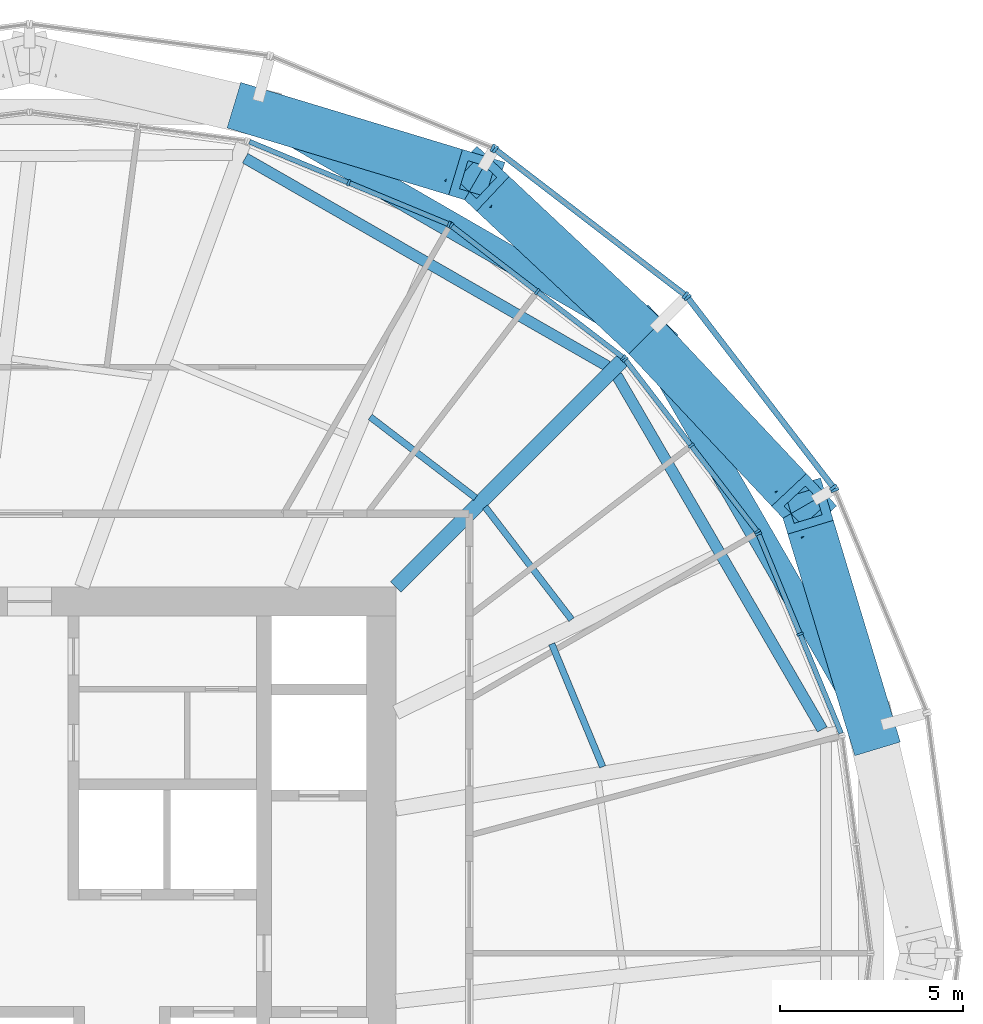
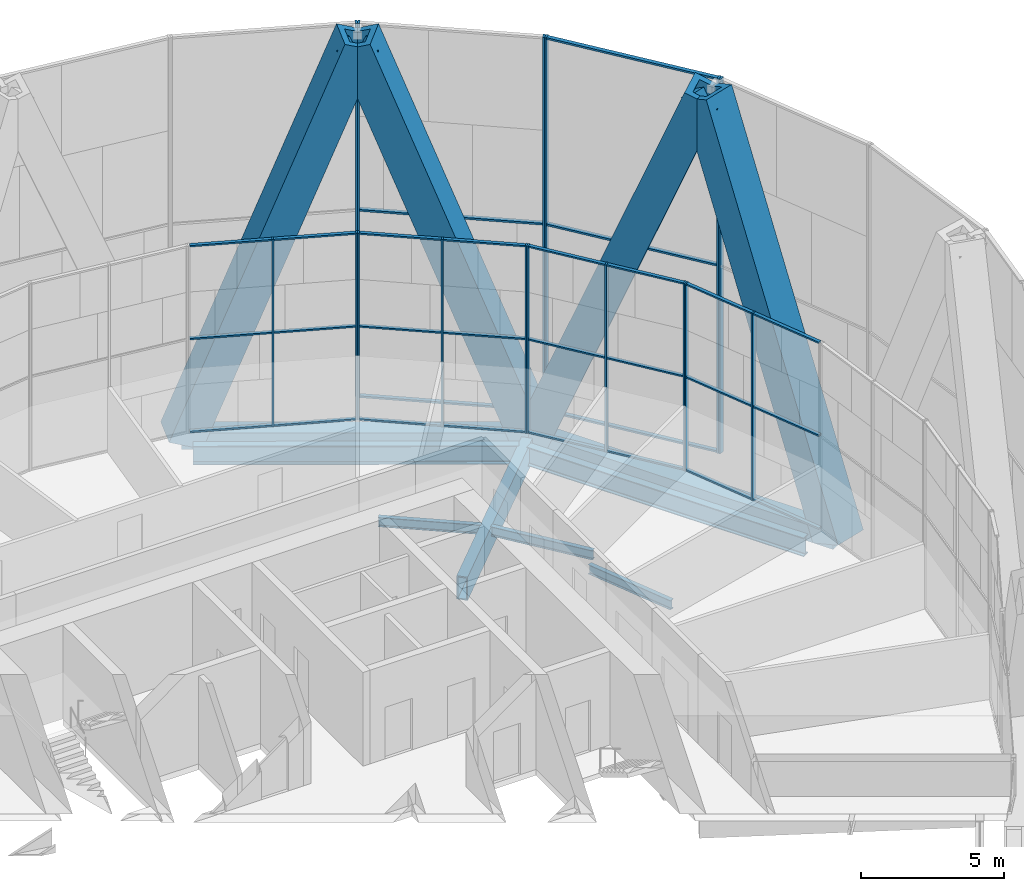
# One storey, part 8 of 22: 49 members, 8 beams, 8 elements without a shape of their own.
"""IFC4 building model written with IfcOpenShell, lengths in metres."""

import ifcopenshell
import ifcopenshell.guid

model = None  # the IFC model being written
_history = None  # IfcOwnerHistory: only IFC2X3 demands one
_inside = {}  # id of a spatial element -> (the spatial element, [elements in it])
_under = {}  # id of a project, library or spatial element -> (it, [spatial elements below it])
_declared = {}  # id of a project -> (the project, [libraries it declares])
_typed = {}  # id of a type object -> (the type object, [elements of that type])
_made_of = {}  # id of a material, layer set ... -> (it, [elements and type objects made of it])


def new_model(schema):
    """Start an empty IFC model of exactly this schema.

    Asked for "IFC4X3", IfcOpenShell would pick the latest addendum, in which some entities
    have other attributes; the version numbers below select the first issue.
    IFC2X3 requires an IfcOwnerHistory on every rooted entity: one is made here for all.
    """
    global model, _history
    if schema == "IFC4X3":
        model = ifcopenshell.file(schema_version=(4, 3, 0, 0))
    else:
        model = ifcopenshell.file(schema=schema)
    _inside.clear()
    _under.clear()
    _declared.clear()
    _typed.clear()
    _made_of.clear()
    _history = None
    if model.schema == "IFC2X3":
        org = make("IfcOrganization", Name="unknown")
        user = make(
            "IfcPersonAndOrganization",
            ThePerson=make("IfcPerson", FamilyName="unknown"),
            TheOrganization=org,
        )
        app = make(
            "IfcApplication",
            ApplicationDeveloper=org,
            Version="unknown",
            ApplicationFullName="unknown",
            ApplicationIdentifier="unknown",
        )
        _history = make(
            "IfcOwnerHistory",
            OwningUser=user,
            OwningApplication=app,
            ChangeAction="ADDED",
            CreationDate=0,
        )
    return model


def make(cls, **values):
    """One entity of the class cls with the attributes given. An attribute that is None is left unset."""
    return model.create_entity(
        cls, **{name: value for name, value in values.items() if value is not None}
    )


def rooted(cls, **values):
    """An entity with a GlobalId (a new one), such as an element, a storey or a relation."""
    return make(cls, GlobalId=ifcopenshell.guid.new(), OwnerHistory=_history, **values)


def si_unit(unit_type, name, prefix=None):
    """IfcSIUnit, for example si_unit("LENGTHUNIT", "METRE", prefix="MILLI")."""
    return make("IfcSIUnit", UnitType=unit_type, Prefix=prefix, Name=name)


def assignment(units):
    """IfcUnitAssignment: the units of a project."""
    return None if units is None else make("IfcUnitAssignment", Units=units)


def point(xyz):
    """IfcCartesianPoint."""
    return None if xyz is None else make("IfcCartesianPoint", Coordinates=xyz)


def direction(xyz):
    """IfcDirection."""
    return None if xyz is None else make("IfcDirection", DirectionRatios=xyz)


def frame(location, z_axis=None, x_axis=None):
    """IfcAxis2Placement3D, a coordinate frame: its origin and axes. An axis left out is left unset."""
    return make(
        "IfcAxis2Placement3D",
        Location=point(location),
        Axis=direction(z_axis),
        RefDirection=direction(x_axis),
    )


def frame_2d(location, x_axis=None):
    """IfcAxis2Placement2D, a coordinate frame in the plane: its origin and x axis."""
    return make(
        "IfcAxis2Placement2D", Location=point(location), RefDirection=direction(x_axis)
    )


def origin():
    """The frame at (0, 0, 0) with its axes left unset."""
    return frame((0.0, 0.0, 0.0))


def origin_2d():
    """The frame at (0, 0) in the plane with its x axis left unset."""
    return frame_2d((0.0, 0.0))


def place(relative_to, where):
    """IfcLocalPlacement: puts the frame where relative to a parent placement (None: the world)."""
    return make(
        "IfcLocalPlacement", PlacementRelTo=relative_to, RelativePlacement=where
    )


def context(
    kind, dimensions, precision=None, world=None, true_north=None, identifier=None
):
    """IfcGeometricRepresentationContext, for example the 3D "Model" context."""
    return make(
        "IfcGeometricRepresentationContext",
        ContextIdentifier=identifier,
        ContextType=kind,
        CoordinateSpaceDimension=dimensions,
        Precision=precision,
        WorldCoordinateSystem=world,
        TrueNorth=true_north,
    )


def subcontext(parent, identifier, kind, view, scale=None):
    """IfcGeometricRepresentationSubContext, for example "Body" below "Model"."""
    return make(
        "IfcGeometricRepresentationSubContext",
        ContextIdentifier=identifier,
        ContextType=kind,
        ParentContext=parent,
        TargetScale=scale,
        TargetView=view,
    )


def project(units=None, contexts=None):
    """IfcProject with its units and contexts."""
    return rooted(
        "IfcProject",
        Name="project",
        RepresentationContexts=contexts,
        UnitsInContext=assignment(units),
    )


def spatial(cls, under=None, at=None, **own):
    """A site, building, storey or space (cls), placed at a placement, below another one or the project."""
    s = rooted(cls, ObjectPlacement=at, **own)
    if under is not None:
        _under.setdefault(under.id(), (under, []))[1].append(s)
    return s


def profile(cls, at=None, kind="AREA", **sizes):
    """A parametric profile (cls). Its sizes go by their IFC names, for example OverallWidth=200.0."""
    return make(cls, ProfileType=kind, Position=at, **sizes)


def rectangle(**sizes):
    """IfcRectangleProfileDef."""
    return profile("IfcRectangleProfileDef", **sizes)


def hollow_rectangle(**sizes):
    """IfcRectangleHollowProfileDef."""
    return profile("IfcRectangleHollowProfileDef", **sizes)


def i_section(**sizes):
    """IfcIShapeProfileDef."""
    return profile("IfcIShapeProfileDef", **sizes)


def extrude(swept, where, along, depth):
    """IfcExtrudedAreaSolid: the profile swept, set in the frame where, extruded along a direction by depth."""
    return make(
        "IfcExtrudedAreaSolid",
        SweptArea=swept,
        Position=where,
        ExtrudedDirection=direction(along),
        Depth=depth,
    )


def shape(context_of_items, identifier, shape_type, items):
    """IfcShapeRepresentation: the items that make up one representation, for example the "Body"."""
    return make(
        "IfcShapeRepresentation",
        ContextOfItems=context_of_items,
        RepresentationIdentifier=identifier,
        RepresentationType=shape_type,
        Items=items,
    )


def material(Name=None, Category=None):
    """IfcMaterial."""
    return make("IfcMaterial", Name=Name, Category=Category)


def material_profile(
    of_material, cross_section, Name=None, Category=None, Priority=None
):
    """IfcMaterialProfile: a cross section and its material."""
    return make(
        "IfcMaterialProfile",
        Name=Name,
        Material=of_material,
        Profile=cross_section,
        Priority=Priority,
        Category=Category,
    )


def profile_set(profiles, Name=None, composite=None):
    """IfcMaterialProfileSet."""
    return make(
        "IfcMaterialProfileSet",
        Name=Name,
        MaterialProfiles=profiles,
        CompositeProfile=composite,
    )


def made_of(thing, what):
    """Note that an element or type object is made of a material, layer set ...; save() writes the relation."""
    if what is not None:
        _made_of.setdefault(what.id(), (what, []))[1].append(thing)
    return thing


def type_object(cls, material=None, **own):
    """A type object (cls), such as IfcWallType, which elements share."""
    return made_of(rooted(cls, **own), material)


def element(
    cls,
    number,
    at=None,
    inside=None,
    cuts=None,
    type_object=None,
    material=None,
    context=None,
    identifier="Body",
    shape_type=None,
    held_by="IfcProductDefinitionShape",
    body=None,
    shapes=None,
    **own,
):
    """One element of the class cls, such as IfcWall. Its Tag is "e" and its number.

    at: its placement. inside: the storey or other place that contains it. cuts: it is an
    opening in that element (IfcRelVoidsElement). A single representation is given by context,
    identifier, shape_type and body (its items); several are given by shapes. held_by: the class
    of the entity that holds the representations. save() writes the other relations.
    """
    e = rooted(cls, Tag="e%d" % number, ObjectPlacement=at, **own)
    if body is not None:
        shapes = [shape(context, identifier, shape_type, body)]
    if shapes is not None:
        e.Representation = make(held_by, Representations=shapes)
    if inside is not None:
        _inside.setdefault(inside.id(), (inside, []))[1].append(e)
    if cuts is not None:
        rooted(
            "IfcRelVoidsElement", RelatingBuildingElement=cuts, RelatedOpeningElement=e
        )
    if type_object is not None:
        _typed.setdefault(type_object.id(), (type_object, []))[1].append(e)
    return made_of(e, material)


def aggregate(whole, parts):
    """IfcRelAggregates: a whole, such as a stair, and the parts it consists of."""
    return rooted("IfcRelAggregates", RelatingObject=whole, RelatedObjects=parts)


def save(model, path):
    """Write the relations noted so far, then the file.

    IfcRelAggregates (storeys below a building ...), IfcRelContainedInSpatialStructure (elements
    in a storey), IfcRelDefinesByType, IfcRelAssociatesMaterial and IfcRelDeclares: one each for
    every whole, place, type object, material and project.
    """
    for whole, parts in _under.values():
        aggregate(whole, parts)
    for where, things in _inside.values():
        rooted(
            "IfcRelContainedInSpatialStructure",
            RelatedElements=things,
            RelatingStructure=where,
        )
    for kind, things in _typed.values():
        rooted("IfcRelDefinesByType", RelatedObjects=things, RelatingType=kind)
    for what, things in _made_of.values():
        rooted("IfcRelAssociatesMaterial", RelatedObjects=things, RelatingMaterial=what)
    for by, libraries in _declared.values():
        rooted("IfcRelDeclares", RelatingContext=by, RelatedDefinitions=libraries)
    model.write(path)


model = new_model("IFC4")

# Units and contexts
model_context = context("Model", 3, precision=1e-05, world=origin(), true_north=direction((0.0, 1.0)))
body_context = subcontext(model_context, "Body", "Model", "MODEL_VIEW")
ifc_project = project(units=[si_unit("LENGTHUNIT", "METRE"), si_unit("AREAUNIT", "SQUARE_METRE"), si_unit("VOLUMEUNIT", "CUBIC_METRE"), si_unit("PLANEANGLEUNIT", "RADIAN"), si_unit("MASSUNIT", "GRAM", prefix="KILO")], contexts=[model_context])

# Site, building, storey
site_placement = place(None, origin())
site = spatial("IfcSite", under=ifc_project, at=site_placement, CompositionType="ELEMENT")
building_placement = place(site_placement, origin())
building = spatial("IfcBuilding", under=site, at=building_placement, Name="Golbaran Civic Tower", CompositionType="ELEMENT")
storey_placement = place(building_placement, frame((0.0, 0.0, 37.0)))
storey = spatial("IfcBuildingStorey", under=building, at=storey_placement, Name="L08", CompositionType="ELEMENT", Elevation=37.0)

# Members
ifc_material_1 = material(Name="Steel S355", Category="steel")
ifc_material_profile_1 = material_profile(ifc_material_1, hollow_rectangle(XDim=1.300048828125, YDim=1.300048828125, WallThickness=0.25, at=origin_2d()), Name="BOX 1300x1300x250")
ifc_profile_set_1 = profile_set([ifc_material_profile_1], Name="Steel S355")
member_type_1 = type_object("IfcMemberType", Name="DIAGRID DIAGONAL BOX 1300x1300x250", PredefinedType="BRACE", material=ifc_profile_set_1)
for number, where, z_axis, x_axis, name in (
    (1, (22.974609375, 6.156005859375, -0.7099609375), (-0.106361428095, 0.351780312348, 0.930020353787), (-0.957204461944, -0.289412539524, 0.0), "Diagonal D01-00R L08-L12"),
    (2, (16.818603515625, 16.818603515625, -0.7099609375), (-0.267997493892, 0.251464950583, 0.930022968478), (-0.68425576452, -0.729242105697, 0.0), "Diagonal D01-01R L08-L12"),
    (3, (16.818603515625, 16.818603515625, -0.7099609375), (0.251464950583, -0.267997493892, 0.930022968478), (0.729242105697, 0.68425576452, 0.0), "Diagonal D01-01L L08-L12"),
    (4, (6.156005859375, 22.974609375, -0.7099609375), (0.351780312348, -0.106361428095, 0.930020353787), (0.289412539524, 0.957204461944, 0.0), "Diagonal D01-02L L08-L12"),
):
    element("IfcMember", number, at=place(storey_placement, frame(where, z_axis=z_axis, x_axis=x_axis)), inside=storey, type_object=member_type_1, Name=name, PredefinedType="BRACE", context=body_context, shape_type="SweptSolid", body=[
        extrude(hollow_rectangle(XDim=1.300048828125, YDim=1.300048828125, WallThickness=0.25, at=origin_2d()), origin(), (0.0, 0.0, 1.0), 17.203857421875),
    ])

# Beams
ifc_material_profile_2 = material_profile(ifc_material_1, hollow_rectangle(XDim=0.699951171875, YDim=0.699951171875, WallThickness=0.080078125, at=origin_2d()), Name="BOX 700x700x80")
ifc_profile_set_2 = profile_set([ifc_material_profile_2], Name="Steel S355")
beam_type_1 = type_object("IfcBeamType", Name="DIAGRID RING TIE BOX 700x700x80", PredefinedType="BEAM", material=ifc_profile_set_2)
for number, where, z_axis, x_axis, name in (
    (5, (22.974609375, 6.156005859375, -0.7099609375), (-0.49999709019, 0.866027083758, 0.0), (-0.866027083758, -0.49999709019, 0.0), "Ring tie 15.00 L08"),
    (6, (16.818603515625, 16.818603515625, -0.7099609375), (-0.866027083758, 0.49999709019, 0.0), (-0.49999709019, -0.866027083758, 0.0), "Ring tie 45.00 L08"),
):
    element("IfcBeam", number, at=place(storey_placement, frame(where, z_axis=z_axis, x_axis=x_axis)), inside=storey, type_object=beam_type_1, Name=name, PredefinedType="BEAM", context=body_context, shape_type="SweptSolid", body=[
        extrude(hollow_rectangle(XDim=0.699951171875, YDim=0.699951171875, WallThickness=0.080078125, at=origin_2d()), origin(), (0.0, 0.0, 1.0), 12.31201171875),
    ])
ifc_material_profile_3 = material_profile(ifc_material_1, i_section(OverallWidth=0.300048828125, OverallDepth=0.800048828125, WebThickness=0.017578125, FlangeThickness=0.032958984375, FilletRadius=0.030029296875, at=origin_2d()), Name="HEB 800")
ifc_profile_set_3 = profile_set([ifc_material_profile_3], Name="Steel S355")
beam_type_2 = type_object("IfcBeamType", Name="EDGE BEAM HEB 800", PredefinedType="BEAM", material=ifc_profile_set_3)
beam_1_placement = place(storey_placement, frame((21.639892578125, 6.11083984375, -0.60009765625), z_axis=(-0.502246731429, 0.864724361151, 0.0), x_axis=(-0.864724361151, -0.502246731429, 0.0)))
element("IfcBeam", 7, at=beam_1_placement, inside=storey, type_object=beam_type_2, Name="Edge beam 15.00 L08", PredefinedType="BEAM", context=body_context, shape_type="SweptSolid", body=[
    extrude(i_section(OverallWidth=0.300048828125, OverallDepth=0.800048828125, WebThickness=0.017578125, FlangeThickness=0.032958984375, FilletRadius=0.030029296875, at=origin_2d()), origin(), (0.0, 0.0, 1.0), 11.173828125),
])
beam_2_placement = place(storey_placement, frame((15.772705078125, 16.027099609375, -0.60009765625), z_axis=(-0.867245221026, 0.497881237452, 0.0), x_axis=(-0.497881237452, -0.867245221026, 0.0)))
element("IfcBeam", 8, at=beam_2_placement, inside=storey, type_object=beam_type_2, Name="Edge beam 45.00 L08", PredefinedType="BEAM", context=body_context, shape_type="SweptSolid", body=[
    extrude(i_section(OverallWidth=0.300048828125, OverallDepth=0.800048828125, WebThickness=0.017578125, FlangeThickness=0.032958984375, FilletRadius=0.030029296875, at=origin_2d()), origin(), (0.0, 0.0, 1.0), 11.40185546875),
])
ifc_material_profile_4 = material_profile(ifc_material_1, i_section(OverallWidth=0.179931640625, OverallDepth=0.39990234375, WebThickness=0.008544921875, FlangeThickness=0.013427734375, FilletRadius=0.02099609375, at=origin_2d()), Name="IPE 400")
ifc_profile_set_4 = profile_set([ifc_material_profile_4], Name="Steel S355")
beam_type_3 = type_object("IfcBeamType", Name="FLOOR INFILL BEAM IPE 400", PredefinedType="BEAM", material=ifc_profile_set_4)
beam_3_placement = place(storey_placement, frame((15.644287109375, 5.088134765625, -0.39990234375), z_axis=(-0.382672312767, 0.923884138321, 0.0), x_axis=(-0.923884138321, -0.382672312767, 0.0)))
element("IfcBeam", 9, at=beam_3_placement, inside=storey, type_object=beam_type_3, Name="Infill beam 22.50 L08", PredefinedType="BEAM", context=body_context, shape_type="SweptSolid", body=[
    extrude(i_section(OverallWidth=0.179931640625, OverallDepth=0.39990234375, WebThickness=0.008544921875, FlangeThickness=0.013427734375, FilletRadius=0.02099609375, at=origin_2d()), origin(), (0.0, 0.0, 1.0), 3.6328125),
])
beam_4_placement = place(storey_placement, frame((14.7958984375, 9.10888671875, -0.39990234375), z_axis=(-0.608775438177, 0.793342590482, 0.0), x_axis=(-0.793342590482, -0.608775438177, 0.0)))
element("IfcBeam", 10, at=beam_4_placement, inside=storey, type_object=beam_type_3, Name="Infill beam 37.50 L08", PredefinedType="BEAM", context=body_context, shape_type="SweptSolid", body=[
    extrude(i_section(OverallWidth=0.179931640625, OverallDepth=0.39990234375, WebThickness=0.008544921875, FlangeThickness=0.013427734375, FilletRadius=0.02099609375, at=origin_2d()), origin(), (0.0, 0.0, 1.0), 3.87451171875),
])
beam_5_placement = place(storey_placement, frame((12.17724609375, 12.431884765625, -0.39990234375), z_axis=(-0.793338798871, 0.608780379288, 0.0), x_axis=(-0.608780379288, -0.793338798871, 0.0)))
element("IfcBeam", 11, at=beam_5_placement, inside=storey, type_object=beam_type_3, Name="Infill beam 52.50 L08", PredefinedType="BEAM", context=body_context, shape_type="SweptSolid", body=[
    extrude(i_section(OverallWidth=0.179931640625, OverallDepth=0.39990234375, WebThickness=0.008544921875, FlangeThickness=0.013427734375, FilletRadius=0.02099609375, at=origin_2d()), origin(), (0.0, 0.0, 1.0), 3.628662109375),
])

# Curtain wall, members
ifc_material_2 = material(Name="Aluminium and glass", Category="aluminium")
curtain_wall_type_1 = type_object("IfcCurtainWallType", Name="INNER SKIN CURTAIN WALL", PredefinedType="NOTDEFINED", material=ifc_material_2)
curtain_wall_1_placement = place(storey_placement, origin())
curtain_wall_1 = element("IfcCurtainWall", 12, at=curtain_wall_1_placement, inside=storey, type_object=curtain_wall_type_1, Name="Inner skin L08 facet 2 CW1", ObjectType="INNER SKIN", PredefinedType="USERDEFINED")
ifc_material_3 = material(Name="Aluminium", Category="aluminium")
ifc_material_profile_5 = material_profile(ifc_material_3, rectangle(XDim=0.179931640625, YDim=0.06494140625, at=origin_2d()), Name="INNER SKIN CURTAIN WALL MULLION")
ifc_profile_set_5 = profile_set([ifc_material_profile_5], Name="Aluminium")
member_type_2 = type_object("IfcMemberType", Name="INNER SKIN CURTAIN WALL MULLION", PredefinedType="MULLION", material=ifc_profile_set_5)
member_1_placement = place(storey_placement, frame((21.03173828125, 8.711669921875, 0.0), z_axis=(0.0, 0.0, 1.0), x_axis=(-0.923879532511, -0.382683432365, 0.0)))
member_1 = element("IfcMember", 13, at=member_1_placement, type_object=member_type_2, Name="CW1 mullion 2", PredefinedType="MULLION", context=body_context, shape_type="SweptSolid", body=[
    extrude(rectangle(XDim=0.179931640625, YDim=0.06494140625, at=origin_2d()), origin(), (0.0, 0.0, 1.0), 8.0),
])
member_2_placement = place(storey_placement, frame((19.897216796875, 11.450439453125, 0.0), z_axis=(0.0, 0.0, 1.0), x_axis=(-0.923879532511, -0.382683432365, 0.0)))
member_2 = element("IfcMember", 14, at=member_2_placement, type_object=member_type_2, Name="CW1 mullion 3", PredefinedType="MULLION", context=body_context, shape_type="SweptSolid", body=[
    extrude(rectangle(XDim=0.179931640625, YDim=0.06494140625, at=origin_2d()), origin(), (0.0, 0.0, 1.0), 8.0),
])

curtain_wall_2_placement = place(storey_placement, origin())
curtain_wall_2 = element("IfcCurtainWall", 15, at=curtain_wall_2_placement, inside=storey, type_object=curtain_wall_type_1, Name="Inner skin L08 facet 3 CW1", ObjectType="INNER SKIN", PredefinedType="USERDEFINED")
member_3_placement = place(storey_placement, frame((19.864990234375, 11.50634765625, 0.0), z_axis=(0.0, 0.0, 1.0), x_axis=(-0.793353340344, -0.608761428939, 0.0)))
member_3 = element("IfcMember", 16, at=member_3_placement, type_object=member_type_2, Name="CW1 mullion 1", PredefinedType="MULLION", context=body_context, shape_type="SweptSolid", body=[
    extrude(rectangle(XDim=0.179931640625, YDim=0.06494140625, at=origin_2d()), origin(), (0.0, 0.0, 1.0), 8.0),
])
member_4_placement = place(storey_placement, frame((18.060302734375, 13.858154296875, 0.0), z_axis=(0.0, 0.0, 1.0), x_axis=(-0.793353340344, -0.608761428939, 0.0)))
member_4 = element("IfcMember", 17, at=member_4_placement, type_object=member_type_2, Name="CW1 mullion 2", PredefinedType="MULLION", context=body_context, shape_type="SweptSolid", body=[
    extrude(rectangle(XDim=0.179931640625, YDim=0.06494140625, at=origin_2d()), origin(), (0.0, 0.0, 1.0), 8.0),
])
member_5_placement = place(storey_placement, frame((16.255615234375, 16.210205078125, 0.0), z_axis=(0.0, 0.0, 1.0), x_axis=(-0.793353340344, -0.608761428939, 0.0)))
member_5 = element("IfcMember", 18, at=member_5_placement, type_object=member_type_2, Name="CW1 mullion 3", PredefinedType="MULLION", context=body_context, shape_type="SweptSolid", body=[
    extrude(rectangle(XDim=0.179931640625, YDim=0.06494140625, at=origin_2d()), origin(), (0.0, 0.0, 1.0), 8.0),
])

curtain_wall_3_placement = place(storey_placement, origin())
curtain_wall_3 = element("IfcCurtainWall", 19, at=curtain_wall_3_placement, inside=storey, type_object=curtain_wall_type_1, Name="Inner skin L08 facet 4 CW1", ObjectType="INNER SKIN", PredefinedType="USERDEFINED")
member_6_placement = place(storey_placement, frame((16.210205078125, 16.255615234375, 0.0), z_axis=(0.0, 0.0, 1.0), x_axis=(-0.608761428939, -0.793353340344, 0.0)))
member_6 = element("IfcMember", 20, at=member_6_placement, type_object=member_type_2, Name="CW1 mullion 1", PredefinedType="MULLION", context=body_context, shape_type="SweptSolid", body=[
    extrude(rectangle(XDim=0.179931640625, YDim=0.06494140625, at=origin_2d()), origin(), (0.0, 0.0, 1.0), 8.0),
])
member_7_placement = place(storey_placement, frame((13.858154296875, 18.060302734375, 0.0), z_axis=(0.0, 0.0, 1.0), x_axis=(-0.608761428939, -0.793353340344, 0.0)))
member_7 = element("IfcMember", 21, at=member_7_placement, type_object=member_type_2, Name="CW1 mullion 2", PredefinedType="MULLION", context=body_context, shape_type="SweptSolid", body=[
    extrude(rectangle(XDim=0.179931640625, YDim=0.06494140625, at=origin_2d()), origin(), (0.0, 0.0, 1.0), 8.0),
])
member_8_placement = place(storey_placement, frame((11.50634765625, 19.864990234375, 0.0), z_axis=(0.0, 0.0, 1.0), x_axis=(-0.608761428939, -0.793353340344, 0.0)))
member_8 = element("IfcMember", 22, at=member_8_placement, type_object=member_type_2, Name="CW1 mullion 3", PredefinedType="MULLION", context=body_context, shape_type="SweptSolid", body=[
    extrude(rectangle(XDim=0.179931640625, YDim=0.06494140625, at=origin_2d()), origin(), (0.0, 0.0, 1.0), 8.0),
])

curtain_wall_4_placement = place(storey_placement, origin())
curtain_wall_4 = element("IfcCurtainWall", 23, at=curtain_wall_4_placement, inside=storey, type_object=curtain_wall_type_1, Name="Inner skin L08 facet 5 CW1", ObjectType="INNER SKIN", PredefinedType="USERDEFINED")
member_9_placement = place(storey_placement, frame((11.450439453125, 19.897216796875, 0.0), z_axis=(0.0, 0.0, 1.0), x_axis=(-0.382683432365, -0.923879532511, 0.0)))
member_9 = element("IfcMember", 24, at=member_9_placement, type_object=member_type_2, Name="CW1 mullion 1", PredefinedType="MULLION", context=body_context, shape_type="SweptSolid", body=[
    extrude(rectangle(XDim=0.179931640625, YDim=0.06494140625, at=origin_2d()), origin(), (0.0, 0.0, 1.0), 8.0),
])
member_10_placement = place(storey_placement, frame((8.711669921875, 21.03173828125, 0.0), z_axis=(0.0, 0.0, 1.0), x_axis=(-0.382683432365, -0.923879532511, 0.0)))
member_10 = element("IfcMember", 25, at=member_10_placement, type_object=member_type_2, Name="CW1 mullion 2", PredefinedType="MULLION", context=body_context, shape_type="SweptSolid", body=[
    extrude(rectangle(XDim=0.179931640625, YDim=0.06494140625, at=origin_2d()), origin(), (0.0, 0.0, 1.0), 8.0),
])

# Member
ifc_material_profile_6 = material_profile(ifc_material_3, rectangle(XDim=0.139892578125, YDim=0.06494140625, at=origin_2d()), Name="INNER SKIN CURTAIN WALL TRANSOM")
ifc_profile_set_6 = profile_set([ifc_material_profile_6], Name="Aluminium")
member_type_3 = type_object("IfcMemberType", Name="INNER SKIN CURTAIN WALL TRANSOM", PredefinedType="USERDEFINED", material=ifc_profile_set_6)
member_11_placement = place(storey_placement, frame((22.15380859375, 6.002685546875, 0.032470703125), z_axis=(-0.382671544279, 0.923884456628, 0.0), x_axis=(-0.923884456628, -0.382671544279, 0.0)))
member_11 = element("IfcMember", 26, at=member_11_placement, type_object=member_type_3, Name="CW1 transom 1.1", ObjectType="TRANSOM", PredefinedType="USERDEFINED", context=body_context, shape_type="SweptSolid", body=[
    extrude(rectangle(XDim=0.139892578125, YDim=0.06494140625, at=origin_2d()), origin(), (0.0, 0.0, 1.0), 2.899658203125),
])

member_12_placement = place(storey_placement, frame((22.15380859375, 6.002685546875, 4.0), z_axis=(-0.382671544279, 0.923884456628, 0.0), x_axis=(-0.923884456628, -0.382671544279, 0.0)))
member_12 = element("IfcMember", 27, at=member_12_placement, type_object=member_type_3, Name="CW1 transom 1.2", ObjectType="TRANSOM", PredefinedType="USERDEFINED", context=body_context, shape_type="SweptSolid", body=[
    extrude(rectangle(XDim=0.139892578125, YDim=0.06494140625, at=origin_2d()), origin(), (0.0, 0.0, 1.0), 2.899658203125),
])

member_13_placement = place(storey_placement, frame((22.15380859375, 6.002685546875, 7.967529296875), z_axis=(-0.382671544279, 0.923884456628, 0.0), x_axis=(-0.923884456628, -0.382671544279, 0.0)))
member_13 = element("IfcMember", 28, at=member_13_placement, type_object=member_type_3, Name="CW1 transom 1.3", ObjectType="TRANSOM", PredefinedType="USERDEFINED", context=body_context, shape_type="SweptSolid", body=[
    extrude(rectangle(XDim=0.139892578125, YDim=0.06494140625, at=origin_2d()), origin(), (0.0, 0.0, 1.0), 2.899658203125),
])

member_14_placement = place(storey_placement, frame((21.019287109375, 8.74169921875, 0.032470703125), z_axis=(-0.382701313468, 0.923872125713, 0.0), x_axis=(-0.923872125713, -0.382701313468, 0.0)))
member_14 = element("IfcMember", 29, at=member_14_placement, type_object=member_type_3, Name="CW1 transom 2.1", ObjectType="TRANSOM", PredefinedType="USERDEFINED", context=body_context, shape_type="SweptSolid", body=[
    extrude(rectangle(XDim=0.139892578125, YDim=0.06494140625, at=origin_2d()), origin(), (0.0, 0.0, 1.0), 2.8994140625),
])

member_15_placement = place(storey_placement, frame((21.019287109375, 8.74169921875, 4.0), z_axis=(-0.382701313468, 0.923872125713, 0.0), x_axis=(-0.923872125713, -0.382701313468, 0.0)))
member_15 = element("IfcMember", 30, at=member_15_placement, type_object=member_type_3, Name="CW1 transom 2.2", ObjectType="TRANSOM", PredefinedType="USERDEFINED", context=body_context, shape_type="SweptSolid", body=[
    extrude(rectangle(XDim=0.139892578125, YDim=0.06494140625, at=origin_2d()), origin(), (0.0, 0.0, 1.0), 2.8994140625),
])

member_16_placement = place(storey_placement, frame((21.019287109375, 8.74169921875, 7.967529296875), z_axis=(-0.382701313468, 0.923872125713, 0.0), x_axis=(-0.923872125713, -0.382701313468, 0.0)))
member_16 = element("IfcMember", 31, at=member_16_placement, type_object=member_type_3, Name="CW1 transom 2.3", ObjectType="TRANSOM", PredefinedType="USERDEFINED", context=body_context, shape_type="SweptSolid", body=[
    extrude(rectangle(XDim=0.139892578125, YDim=0.06494140625, at=origin_2d()), origin(), (0.0, 0.0, 1.0), 2.8994140625),
])

aggregate(curtain_wall_1, [member_1, member_2, member_11, member_12, member_13, member_14, member_15, member_16])

member_17_placement = place(storey_placement, frame((19.84521484375, 11.531982421875, 0.032470703125), z_axis=(-0.608733755036, 0.79337457451, 0.0), x_axis=(-0.79337457451, -0.608733755036, 0.0)))
member_17 = element("IfcMember", 32, at=member_17_placement, type_object=member_type_3, Name="CW1 transom 1.1", ObjectType="TRANSOM", PredefinedType="USERDEFINED", context=body_context, shape_type="SweptSolid", body=[
    extrude(rectangle(XDim=0.139892578125, YDim=0.06494140625, at=origin_2d()), origin(), (0.0, 0.0, 1.0), 2.899658203125),
])

member_18_placement = place(storey_placement, frame((19.84521484375, 11.531982421875, 4.0), z_axis=(-0.608733755036, 0.79337457451, 0.0), x_axis=(-0.79337457451, -0.608733755036, 0.0)))
member_18 = element("IfcMember", 33, at=member_18_placement, type_object=member_type_3, Name="CW1 transom 1.2", ObjectType="TRANSOM", PredefinedType="USERDEFINED", context=body_context, shape_type="SweptSolid", body=[
    extrude(rectangle(XDim=0.139892578125, YDim=0.06494140625, at=origin_2d()), origin(), (0.0, 0.0, 1.0), 2.899658203125),
])

member_19_placement = place(storey_placement, frame((19.84521484375, 11.531982421875, 7.967529296875), z_axis=(-0.608733755036, 0.79337457451, 0.0), x_axis=(-0.79337457451, -0.608733755036, 0.0)))
member_19 = element("IfcMember", 34, at=member_19_placement, type_object=member_type_3, Name="CW1 transom 1.3", ObjectType="TRANSOM", PredefinedType="USERDEFINED", context=body_context, shape_type="SweptSolid", body=[
    extrude(rectangle(XDim=0.139892578125, YDim=0.06494140625, at=origin_2d()), origin(), (0.0, 0.0, 1.0), 2.899658203125),
])

member_20_placement = place(storey_placement, frame((18.04052734375, 13.884033203125, 0.032470703125), z_axis=(-0.608774419516, 0.793343372155, 0.0), x_axis=(-0.793343372155, -0.608774419516, 0.0)))
member_20 = element("IfcMember", 35, at=member_20_placement, type_object=member_type_3, Name="CW1 transom 2.1", ObjectType="TRANSOM", PredefinedType="USERDEFINED", context=body_context, shape_type="SweptSolid", body=[
    extrude(rectangle(XDim=0.139892578125, YDim=0.06494140625, at=origin_2d()), origin(), (0.0, 0.0, 1.0), 2.8994140625),
])

member_21_placement = place(storey_placement, frame((18.04052734375, 13.884033203125, 4.0), z_axis=(-0.608774419516, 0.793343372155, 0.0), x_axis=(-0.793343372155, -0.608774419516, 0.0)))
member_21 = element("IfcMember", 36, at=member_21_placement, type_object=member_type_3, Name="CW1 transom 2.2", ObjectType="TRANSOM", PredefinedType="USERDEFINED", context=body_context, shape_type="SweptSolid", body=[
    extrude(rectangle(XDim=0.139892578125, YDim=0.06494140625, at=origin_2d()), origin(), (0.0, 0.0, 1.0), 2.8994140625),
])

member_22_placement = place(storey_placement, frame((18.04052734375, 13.884033203125, 7.967529296875), z_axis=(-0.608774419516, 0.793343372155, 0.0), x_axis=(-0.793343372155, -0.608774419516, 0.0)))
member_22 = element("IfcMember", 37, at=member_22_placement, type_object=member_type_3, Name="CW1 transom 2.3", ObjectType="TRANSOM", PredefinedType="USERDEFINED", context=body_context, shape_type="SweptSolid", body=[
    extrude(rectangle(XDim=0.139892578125, YDim=0.06494140625, at=origin_2d()), origin(), (0.0, 0.0, 1.0), 2.8994140625),
])

aggregate(curtain_wall_2, [member_3, member_4, member_5, member_17, member_18, member_19, member_20, member_21, member_22])

member_23_placement = place(storey_placement, frame((16.184326171875, 16.275390625, 0.032470703125), z_axis=(-0.793343372155, 0.608774419516, 0.0), x_axis=(-0.608774419516, -0.793343372155, 0.0)))
member_23 = element("IfcMember", 38, at=member_23_placement, type_object=member_type_3, Name="CW1 transom 1.1", ObjectType="TRANSOM", PredefinedType="USERDEFINED", context=body_context, shape_type="SweptSolid", body=[
    extrude(rectangle(XDim=0.139892578125, YDim=0.06494140625, at=origin_2d()), origin(), (0.0, 0.0, 1.0), 2.8994140625),
])

member_24_placement = place(storey_placement, frame((16.184326171875, 16.275390625, 4.0), z_axis=(-0.793343372155, 0.608774419516, 0.0), x_axis=(-0.608774419516, -0.793343372155, 0.0)))
member_24 = element("IfcMember", 39, at=member_24_placement, type_object=member_type_3, Name="CW1 transom 1.2", ObjectType="TRANSOM", PredefinedType="USERDEFINED", context=body_context, shape_type="SweptSolid", body=[
    extrude(rectangle(XDim=0.139892578125, YDim=0.06494140625, at=origin_2d()), origin(), (0.0, 0.0, 1.0), 2.8994140625),
])

member_25_placement = place(storey_placement, frame((16.184326171875, 16.275390625, 7.967529296875), z_axis=(-0.793343372155, 0.608774419516, 0.0), x_axis=(-0.608774419516, -0.793343372155, 0.0)))
member_25 = element("IfcMember", 40, at=member_25_placement, type_object=member_type_3, Name="CW1 transom 1.3", ObjectType="TRANSOM", PredefinedType="USERDEFINED", context=body_context, shape_type="SweptSolid", body=[
    extrude(rectangle(XDim=0.139892578125, YDim=0.06494140625, at=origin_2d()), origin(), (0.0, 0.0, 1.0), 2.8994140625),
])

member_26_placement = place(storey_placement, frame((13.83251953125, 18.080078125, 0.032470703125), z_axis=(-0.79337457451, 0.608733755036, 0.0), x_axis=(-0.608733755036, -0.79337457451, 0.0)))
member_26 = element("IfcMember", 41, at=member_26_placement, type_object=member_type_3, Name="CW1 transom 2.1", ObjectType="TRANSOM", PredefinedType="USERDEFINED", context=body_context, shape_type="SweptSolid", body=[
    extrude(rectangle(XDim=0.139892578125, YDim=0.06494140625, at=origin_2d()), origin(), (0.0, 0.0, 1.0), 2.899658203125),
])

member_27_placement = place(storey_placement, frame((13.83251953125, 18.080078125, 4.0), z_axis=(-0.79337457451, 0.608733755036, 0.0), x_axis=(-0.608733755036, -0.79337457451, 0.0)))
member_27 = element("IfcMember", 42, at=member_27_placement, type_object=member_type_3, Name="CW1 transom 2.2", ObjectType="TRANSOM", PredefinedType="USERDEFINED", context=body_context, shape_type="SweptSolid", body=[
    extrude(rectangle(XDim=0.139892578125, YDim=0.06494140625, at=origin_2d()), origin(), (0.0, 0.0, 1.0), 2.899658203125),
])

member_28_placement = place(storey_placement, frame((13.83251953125, 18.080078125, 7.967529296875), z_axis=(-0.79337457451, 0.608733755036, 0.0), x_axis=(-0.608733755036, -0.79337457451, 0.0)))
member_28 = element("IfcMember", 43, at=member_28_placement, type_object=member_type_3, Name="CW1 transom 2.3", ObjectType="TRANSOM", PredefinedType="USERDEFINED", context=body_context, shape_type="SweptSolid", body=[
    extrude(rectangle(XDim=0.139892578125, YDim=0.06494140625, at=origin_2d()), origin(), (0.0, 0.0, 1.0), 2.899658203125),
])

aggregate(curtain_wall_3, [member_6, member_7, member_8, member_23, member_24, member_25, member_26, member_27, member_28])

member_29_placement = place(storey_placement, frame((11.42041015625, 19.90966796875, 0.032470703125), z_axis=(-0.923872125713, 0.382701313468, 0.0), x_axis=(-0.382701313468, -0.923872125713, 0.0)))
member_29 = element("IfcMember", 44, at=member_29_placement, type_object=member_type_3, Name="CW1 transom 1.1", ObjectType="TRANSOM", PredefinedType="USERDEFINED", context=body_context, shape_type="SweptSolid", body=[
    extrude(rectangle(XDim=0.139892578125, YDim=0.06494140625, at=origin_2d()), origin(), (0.0, 0.0, 1.0), 2.8994140625),
])

member_30_placement = place(storey_placement, frame((11.42041015625, 19.90966796875, 4.0), z_axis=(-0.923872125713, 0.382701313468, 0.0), x_axis=(-0.382701313468, -0.923872125713, 0.0)))
member_30 = element("IfcMember", 45, at=member_30_placement, type_object=member_type_3, Name="CW1 transom 1.2", ObjectType="TRANSOM", PredefinedType="USERDEFINED", context=body_context, shape_type="SweptSolid", body=[
    extrude(rectangle(XDim=0.139892578125, YDim=0.06494140625, at=origin_2d()), origin(), (0.0, 0.0, 1.0), 2.8994140625),
])

member_31_placement = place(storey_placement, frame((11.42041015625, 19.90966796875, 7.967529296875), z_axis=(-0.923872125713, 0.382701313468, 0.0), x_axis=(-0.382701313468, -0.923872125713, 0.0)))
member_31 = element("IfcMember", 46, at=member_31_placement, type_object=member_type_3, Name="CW1 transom 1.3", ObjectType="TRANSOM", PredefinedType="USERDEFINED", context=body_context, shape_type="SweptSolid", body=[
    extrude(rectangle(XDim=0.139892578125, YDim=0.06494140625, at=origin_2d()), origin(), (0.0, 0.0, 1.0), 2.8994140625),
])

member_32_placement = place(storey_placement, frame((8.681640625, 21.044189453125, 0.032470703125), z_axis=(-0.923884456628, 0.382671544279, 0.0), x_axis=(-0.382671544279, -0.923884456628, 0.0)))
member_32 = element("IfcMember", 47, at=member_32_placement, type_object=member_type_3, Name="CW1 transom 2.1", ObjectType="TRANSOM", PredefinedType="USERDEFINED", context=body_context, shape_type="SweptSolid", body=[
    extrude(rectangle(XDim=0.139892578125, YDim=0.06494140625, at=origin_2d()), origin(), (0.0, 0.0, 1.0), 2.899658203125),
])

member_33_placement = place(storey_placement, frame((8.681640625, 21.044189453125, 4.0), z_axis=(-0.923884456628, 0.382671544279, 0.0), x_axis=(-0.382671544279, -0.923884456628, 0.0)))
member_33 = element("IfcMember", 48, at=member_33_placement, type_object=member_type_3, Name="CW1 transom 2.2", ObjectType="TRANSOM", PredefinedType="USERDEFINED", context=body_context, shape_type="SweptSolid", body=[
    extrude(rectangle(XDim=0.139892578125, YDim=0.06494140625, at=origin_2d()), origin(), (0.0, 0.0, 1.0), 2.899658203125),
])

member_34_placement = place(storey_placement, frame((8.681640625, 21.044189453125, 7.967529296875), z_axis=(-0.923884456628, 0.382671544279, 0.0), x_axis=(-0.382671544279, -0.923884456628, 0.0)))
member_34 = element("IfcMember", 49, at=member_34_placement, type_object=member_type_3, Name="CW1 transom 2.3", ObjectType="TRANSOM", PredefinedType="USERDEFINED", context=body_context, shape_type="SweptSolid", body=[
    extrude(rectangle(XDim=0.139892578125, YDim=0.06494140625, at=origin_2d()), origin(), (0.0, 0.0, 1.0), 2.899658203125),
])

aggregate(curtain_wall_4, [member_9, member_10, member_29, member_30, member_31, member_32, member_33, member_34])

# Curtain wall, member
curtain_wall_type_2 = type_object("IfcCurtainWallType", Name="OUTER SKIN TERRACOTTA SCREEN", PredefinedType="NOTDEFINED", material=ifc_material_2)
curtain_wall_5_placement = place(storey_placement, origin())
curtain_wall_5 = element("IfcCurtainWall", 50, at=curtain_wall_5_placement, inside=storey, type_object=curtain_wall_type_2, Name="Outer skin L08 facet 2 CW3", ObjectType="OUTER SKIN", PredefinedType="USERDEFINED")
ifc_material_profile_7 = material_profile(ifc_material_3, rectangle(XDim=0.219970703125, YDim=0.080078125, at=origin_2d()), Name="OUTER SKIN TERRACOTTA SCREEN MULLION")
ifc_profile_set_7 = profile_set([ifc_material_profile_7], Name="Aluminium")
member_type_4 = type_object("IfcMemberType", Name="OUTER SKIN TERRACOTTA SCREEN MULLION", PredefinedType="MULLION", material=ifc_profile_set_7)
member_35_placement = place(storey_placement, frame((21.98291015625, 12.64599609375, -0.7099609375), z_axis=(0.0, 0.0, 1.0), x_axis=(-0.923879532471, -0.382683432462, 0.0)))
member_35 = element("IfcMember", 51, at=member_35_placement, type_object=member_type_4, Name="CW3 mullion 2", PredefinedType="MULLION", context=body_context, shape_type="SweptSolid", body=[
    extrude(rectangle(XDim=0.219970703125, YDim=0.080078125, at=origin_2d()), origin(), (0.0, 0.0, 1.0), 16.0),
])
aggregate(curtain_wall_5, [member_35])

# Curtain wall, members
curtain_wall_6_placement = place(storey_placement, origin())
curtain_wall_6 = element("IfcCurtainWall", 52, at=curtain_wall_6_placement, inside=storey, type_object=curtain_wall_type_2, Name="Outer skin L08 facet 3 CW3", ObjectType="OUTER SKIN", PredefinedType="USERDEFINED")
member_36_placement = place(storey_placement, frame((21.943359375, 12.71484375, -0.7099609375), z_axis=(0.0, 0.0, 1.0), x_axis=(-0.793353340376, -0.608761428898, 0.0)))
member_36 = element("IfcMember", 53, at=member_36_placement, type_object=member_type_4, Name="CW3 mullion 1", PredefinedType="MULLION", context=body_context, shape_type="SweptSolid", body=[
    extrude(rectangle(XDim=0.219970703125, YDim=0.080078125, at=origin_2d()), origin(), (0.0, 0.0, 1.0), 16.0),
])
member_37_placement = place(storey_placement, frame((17.9609375, 17.90478515625, -0.7099609375), z_axis=(0.0, 0.0, 1.0), x_axis=(-0.793353340376, -0.608761428898, 0.0)))
member_37 = element("IfcMember", 54, at=member_37_placement, type_object=member_type_4, Name="CW3 mullion 2", PredefinedType="MULLION", context=body_context, shape_type="SweptSolid", body=[
    extrude(rectangle(XDim=0.219970703125, YDim=0.080078125, at=origin_2d()), origin(), (0.0, 0.0, 1.0), 16.0),
])

curtain_wall_7_placement = place(storey_placement, origin())
curtain_wall_7 = element("IfcCurtainWall", 55, at=curtain_wall_7_placement, inside=storey, type_object=curtain_wall_type_2, Name="Outer skin L08 facet 4 CW3", ObjectType="OUTER SKIN", PredefinedType="USERDEFINED")
member_38_placement = place(storey_placement, frame((17.90478515625, 17.9609375, -0.7099609375), z_axis=(0.0, 0.0, 1.0), x_axis=(-0.608761428898, -0.793353340376, 0.0)))
member_38 = element("IfcMember", 56, at=member_38_placement, type_object=member_type_4, Name="CW3 mullion 1", PredefinedType="MULLION", context=body_context, shape_type="SweptSolid", body=[
    extrude(rectangle(XDim=0.219970703125, YDim=0.080078125, at=origin_2d()), origin(), (0.0, 0.0, 1.0), 16.0),
])
member_39_placement = place(storey_placement, frame((12.71484375, 21.943359375, -0.7099609375), z_axis=(0.0, 0.0, 1.0), x_axis=(-0.608761428898, -0.793353340376, 0.0)))
member_39 = element("IfcMember", 57, at=member_39_placement, type_object=member_type_4, Name="CW3 mullion 2", PredefinedType="MULLION", context=body_context, shape_type="SweptSolid", body=[
    extrude(rectangle(XDim=0.219970703125, YDim=0.080078125, at=origin_2d()), origin(), (0.0, 0.0, 1.0), 16.0),
])

# Curtain wall, member
curtain_wall_8_placement = place(storey_placement, origin())
curtain_wall_8 = element("IfcCurtainWall", 58, at=curtain_wall_8_placement, inside=storey, type_object=curtain_wall_type_2, Name="Outer skin L08 facet 5 CW3", ObjectType="OUTER SKIN", PredefinedType="USERDEFINED")
member_40_placement = place(storey_placement, frame((12.64599609375, 21.98291015625, -0.7099609375), z_axis=(0.0, 0.0, 1.0), x_axis=(-0.382683432462, -0.923879532471, 0.0)))
member_40 = element("IfcMember", 59, at=member_40_placement, type_object=member_type_4, Name="CW3 mullion 1", PredefinedType="MULLION", context=body_context, shape_type="SweptSolid", body=[
    extrude(rectangle(XDim=0.219970703125, YDim=0.080078125, at=origin_2d()), origin(), (0.0, 0.0, 1.0), 16.0),
])
aggregate(curtain_wall_8, [member_40])

# Member
ifc_material_profile_8 = material_profile(ifc_material_3, rectangle(XDim=0.159912109375, YDim=0.080078125, at=origin_2d()), Name="OUTER SKIN TERRACOTTA SCREEN TRANSOM")
ifc_profile_set_8 = profile_set([ifc_material_profile_8], Name="Aluminium")
member_type_5 = type_object("IfcMemberType", Name="OUTER SKIN TERRACOTTA SCREEN TRANSOM", PredefinedType="USERDEFINED", material=ifc_profile_set_8)
member_41_placement = place(storey_placement, frame((21.9189453125, 12.74658203125, -0.669921875), z_axis=(-0.60877731183, 0.793341152721, 0.0), x_axis=(-0.793341152721, -0.60877731183, 0.0)))
member_41 = element("IfcMember", 60, at=member_41_placement, type_object=member_type_5, Name="CW3 transom 1.1", ObjectType="TRANSOM", PredefinedType="USERDEFINED", context=body_context, shape_type="SweptSolid", body=[
    extrude(rectangle(XDim=0.159912109375, YDim=0.080078125, at=origin_2d()), origin(), (0.0, 0.0, 1.0), 6.4619140625),
])

member_42_placement = place(storey_placement, frame((21.9189453125, 12.74658203125, 7.2900390625), z_axis=(-0.60877731183, 0.793341152721, 0.0), x_axis=(-0.793341152721, -0.60877731183, 0.0)))
member_42 = element("IfcMember", 61, at=member_42_placement, type_object=member_type_5, Name="CW3 transom 1.2", ObjectType="TRANSOM", PredefinedType="USERDEFINED", context=body_context, shape_type="SweptSolid", body=[
    extrude(rectangle(XDim=0.159912109375, YDim=0.080078125, at=origin_2d()), origin(), (0.0, 0.0, 1.0), 6.4619140625),
])

member_43_placement = place(storey_placement, frame((21.9189453125, 12.74658203125, 15.25), z_axis=(-0.60877731183, 0.793341152721, 0.0), x_axis=(-0.793341152721, -0.60877731183, 0.0)))
member_43 = element("IfcMember", 62, at=member_43_placement, type_object=member_type_5, Name="CW3 transom 1.3", ObjectType="TRANSOM", PredefinedType="USERDEFINED", context=body_context, shape_type="SweptSolid", body=[
    extrude(rectangle(XDim=0.159912109375, YDim=0.080078125, at=origin_2d()), origin(), (0.0, 0.0, 1.0), 6.4619140625),
])

aggregate(curtain_wall_6, [member_36, member_37, member_41, member_42, member_43])

member_44_placement = place(storey_placement, frame((17.873046875, 17.985107421875, -0.669921875), z_axis=(-0.793341152721, 0.60877731183, 0.0), x_axis=(-0.60877731183, -0.793341152721, 0.0)))
member_44 = element("IfcMember", 63, at=member_44_placement, type_object=member_type_5, Name="CW3 transom 1.1", ObjectType="TRANSOM", PredefinedType="USERDEFINED", context=body_context, shape_type="SweptSolid", body=[
    extrude(rectangle(XDim=0.159912109375, YDim=0.080078125, at=origin_2d()), origin(), (0.0, 0.0, 1.0), 6.4619140625),
])

member_45_placement = place(storey_placement, frame((17.873046875, 17.985107421875, 7.2900390625), z_axis=(-0.793341152721, 0.60877731183, 0.0), x_axis=(-0.60877731183, -0.793341152721, 0.0)))
member_45 = element("IfcMember", 64, at=member_45_placement, type_object=member_type_5, Name="CW3 transom 1.2", ObjectType="TRANSOM", PredefinedType="USERDEFINED", context=body_context, shape_type="SweptSolid", body=[
    extrude(rectangle(XDim=0.159912109375, YDim=0.080078125, at=origin_2d()), origin(), (0.0, 0.0, 1.0), 6.4619140625),
])

aggregate(curtain_wall_7, [member_38, member_39, member_44, member_45])

# Beam
ifc_material_profile_9 = material_profile(ifc_material_1, hollow_rectangle(XDim=0.39990234375, YDim=1.0, WallThickness=0.050048828125, at=origin_2d()), Name="BOX 1000x400x50")
ifc_profile_set_9 = profile_set([ifc_material_profile_9], Name="Steel S355")
beam_type_4 = type_object("IfcBeamType", Name="RADIAL FLOOR BEAM BOX 1000x400x50", PredefinedType="BEAM", material=ifc_profile_set_9)
beam_6_placement = place(storey_placement, frame((10.0, 10.0, -0.7099609375), z_axis=(0.707106781187, 0.707106781187, 0.0), x_axis=(-0.707106781187, 0.707106781187, 0.0)))
element("IfcBeam", 65, at=beam_6_placement, inside=storey, type_object=beam_type_4, Name="Radial beam 45.00 L08", PredefinedType="BEAM", context=body_context, shape_type="SweptSolid", body=[
    extrude(hollow_rectangle(XDim=0.39990234375, YDim=1.0, WallThickness=0.050048828125, at=origin_2d()), origin(), (0.0, 0.0, 1.0), 8.7763671875),
])

save(model, "model.ifc")
